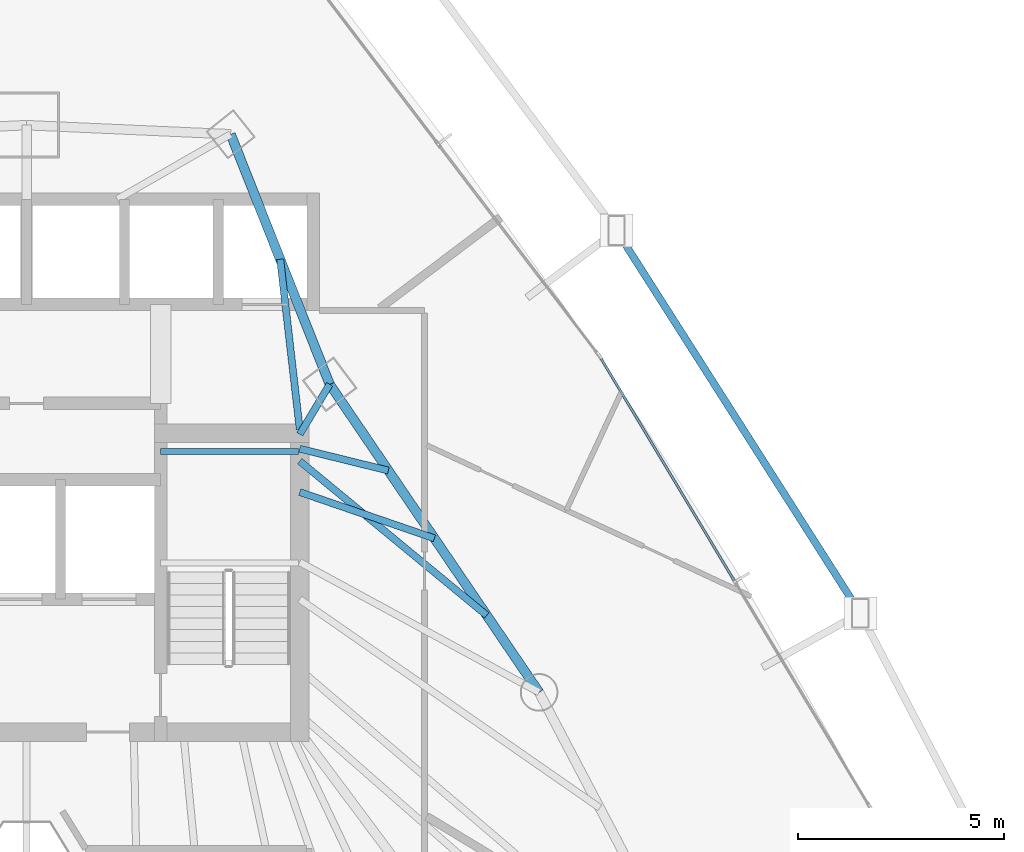
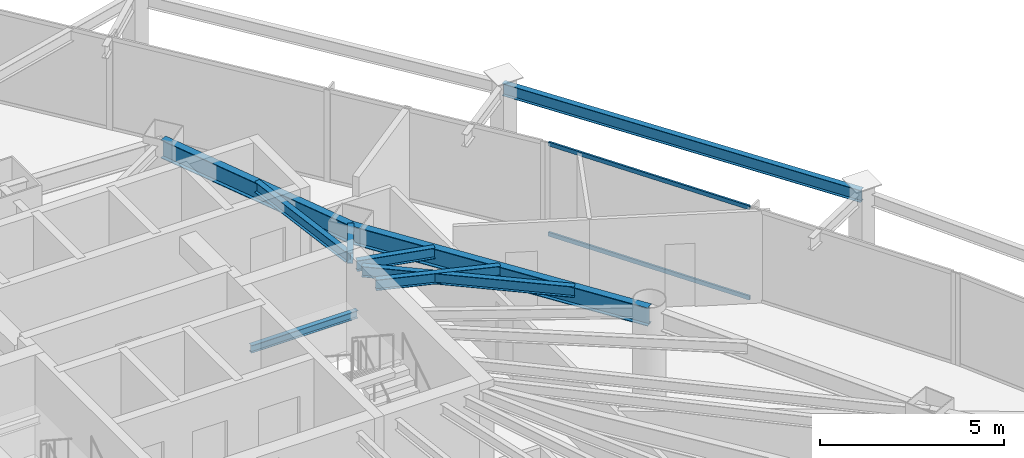
# One storey, part 28 of 38: 9 beams, 2 members, 1 element without a shape of its own.
"""IFC4 building model written with IfcOpenShell, lengths in metres."""

from ifc_helpers import new_model, si_unit, direction, frame, origin, origin_2d, place, context, subcontext, project, spatial, hollow_rectangle, i_section, extrude, material, layer, layer_set, material_profile, profile_set, type_object, element, aggregate, save


model = new_model("IFC4")

# Units and contexts
model_context = context("Model", 3, precision=1e-05, world=origin(), true_north=direction((0.0, 1.0)))
body_context = subcontext(model_context, "Body", "Model", "MODEL_VIEW")
ifc_project = project(units=[si_unit("LENGTHUNIT", "METRE"), si_unit("AREAUNIT", "SQUARE_METRE"), si_unit("VOLUMEUNIT", "CUBIC_METRE"), si_unit("PLANEANGLEUNIT", "RADIAN"), si_unit("MASSUNIT", "GRAM", prefix="KILO")], contexts=[model_context])

# Site, building, storey
site_placement = place(None, origin())
site = spatial("IfcSite", under=ifc_project, at=site_placement, CompositionType="ELEMENT")
building_placement = place(site_placement, origin())
building = spatial("IfcBuilding", under=site, at=building_placement, Name="Orvanel Arch Residences", CompositionType="ELEMENT")
storey_placement = place(building_placement, frame((0.0, 0.0, 50.0)))
storey = spatial("IfcBuildingStorey", under=building, at=storey_placement, Name="L13", CompositionType="ELEMENT", Elevation=50.0)

# Beams
ifc_material_1 = material(Name="Structural steel AS/NZS 3679.1 Grade 300 (300 MPa)", Category="steel")
ifc_material_profile_1 = material_profile(ifc_material_1, i_section(OverallWidth=0.14599609375, OverallDepth=0.251953125, WebThickness=0.006103515625, FlangeThickness=0.008544921875, at=origin_2d()), Name="250UB31.4")
ifc_profile_set_1 = profile_set([ifc_material_profile_1], Name="Structural steel AS/NZS 3679.1 Grade 300 (300 MPa)")
beam_type_1 = type_object("IfcBeamType", Name="BJ-250UB", PredefinedType="JOIST", material=ifc_profile_set_1)
beam_1_placement = place(storey_placement, frame((36.25, 33.47998046875, 1.323974609375), z_axis=(1.0, 0.0, 0.0), x_axis=(0.0, 1.0, 0.0)))
element("IfcBeam", 1, at=beam_1_placement, inside=storey, type_object=beam_type_1, Name="L13 ST-2 Half-Landing Support Beam 1.2", PredefinedType="JOIST", context=body_context, shape_type="SweptSolid", body=[
    extrude(i_section(OverallWidth=0.14599609375, OverallDepth=0.251953125, WebThickness=0.006103515625, FlangeThickness=0.008544921875, at=origin_2d()), origin(), (0.0, 0.0, 1.0), 3.35009765625),
])
ifc_material_profile_2 = material_profile(ifc_material_1, i_section(OverallWidth=0.1708984375, OverallDepth=0.35595703125, WebThickness=0.00732421875, FlangeThickness=0.011474609375, at=origin_2d()), Name="360UB50.7")
ifc_profile_set_2 = profile_set([ifc_material_profile_2], Name="Structural steel AS/NZS 3679.1 Grade 300 (300 MPa)")
beam_type_2 = type_object("IfcBeamType", Name="BJ-360UB", PredefinedType="JOIST", material=ifc_profile_set_2)
beam_2_placement = place(storey_placement, frame((39.625, 33.89990234375, 2.882080078125), z_axis=(0.514064138778, 0.857751748015, 0.0), x_axis=(-0.857751748015, 0.514064138778, 0.0)))
element("IfcBeam", 2, at=beam_2_placement, inside=storey, type_object=beam_type_2, Name="L13 NNE Wing Floor Joist", PredefinedType="JOIST", context=body_context, shape_type="SweptSolid", body=[
    extrude(i_section(OverallWidth=0.1708984375, OverallDepth=0.35595703125, WebThickness=0.00732421875, FlangeThickness=0.011474609375, at=origin_2d()), origin(), (0.0, 0.0, 1.0), 1.414306640625),
])
beam_3_placement = place(storey_placement, frame((39.625, 34.02001953125, 2.882080078125), z_axis=(-0.114186670431, 0.993459311847, 0.0), x_axis=(-0.993459311847, -0.114186670431, 0.0)))
element("IfcBeam", 3, at=beam_3_placement, inside=storey, type_object=beam_type_2, Name="L13 NNE2 Wing Floor Joist", PredefinedType="JOIST", context=body_context, shape_type="SweptSolid", body=[
    extrude(i_section(OverallWidth=0.1708984375, OverallDepth=0.35595703125, WebThickness=0.00732421875, FlangeThickness=0.011474609375, at=origin_2d()), origin(), (0.0, 0.0, 1.0), 4.152099609375),
])
beam_4_placement = place(storey_placement, frame((39.625, 32.5, 2.882080078125), z_axis=(0.945658073701, -0.325162740247, 0.0), x_axis=(0.325162740247, 0.945658073701, 0.0)))
element("IfcBeam", 4, at=beam_4_placement, inside=storey, type_object=beam_type_2, Name="L13 ENE Wing Floor Joist", PredefinedType="JOIST", context=body_context, shape_type="SweptSolid", body=[
    extrude(i_section(OverallWidth=0.1708984375, OverallDepth=0.35595703125, WebThickness=0.00732421875, FlangeThickness=0.011474609375, at=origin_2d()), origin(), (0.0, 0.0, 1.0), 3.453857421875),
])
beam_5_placement = place(storey_placement, frame((39.625, 33.25, 2.882080078125), z_axis=(0.771468562814, -0.636267441089, 0.0), x_axis=(0.636267441089, 0.771468562814, 0.0)))
element("IfcBeam", 5, at=beam_5_placement, inside=storey, type_object=beam_type_2, Name="L13 LE Wing Floor Joist", PredefinedType="JOIST", context=body_context, shape_type="SweptSolid", body=[
    extrude(i_section(OverallWidth=0.1708984375, OverallDepth=0.35595703125, WebThickness=0.00732421875, FlangeThickness=0.011474609375, at=origin_2d()), origin(), (0.0, 0.0, 1.0), 5.879638671875),
])
beam_6_placement = place(storey_placement, frame((39.625, 33.550048828125, 2.882080078125), z_axis=(0.971005818547, -0.239055851942, 0.0), x_axis=(0.239055851942, 0.971005818547, 0.0)))
element("IfcBeam", 6, at=beam_6_placement, inside=storey, type_object=beam_type_2, Name="L13 JADD4 Wing Floor Joist", PredefinedType="JOIST", context=body_context, shape_type="SweptSolid", body=[
    extrude(i_section(OverallWidth=0.1708984375, OverallDepth=0.35595703125, WebThickness=0.00732421875, FlangeThickness=0.011474609375, at=origin_2d()), origin(), (0.0, 0.0, 1.0), 2.213134765625),
])
ifc_material_profile_3 = material_profile(ifc_material_1, i_section(OverallWidth=0.177978515625, OverallDepth=0.406005859375, WebThickness=0.0078125, FlangeThickness=0.0126953125, at=origin_2d()), Name="410UB59.7")
ifc_profile_set_3 = profile_set([ifc_material_profile_3], Name="Structural steel AS/NZS 3679.1 Grade 300 (300 MPa)")
beam_type_3 = type_object("IfcBeamType", Name="OB-410UB-EXT", PredefinedType="SPANDREL", material=ifc_profile_set_3)
beam_7_placement = place(storey_placement, frame((53.221923828125, 29.55908203125, 2.85693359375), z_axis=(-0.537254316305, 0.843420298316, 0.0), x_axis=(-0.843420298316, -0.537254316305, 0.0)))
element("IfcBeam", 7, at=beam_7_placement, inside=storey, type_object=beam_type_3, Name="L13 Outer Perimeter Floor Ring Beam 10", PredefinedType="SPANDREL", context=body_context, shape_type="SweptSolid", body=[
    extrude(i_section(OverallWidth=0.177978515625, OverallDepth=0.406005859375, WebThickness=0.0078125, FlangeThickness=0.0126953125, at=origin_2d()), origin(), (0.0, 0.0, 1.0), 11.007568359375),
])
ifc_material_profile_4 = material_profile(ifc_material_1, i_section(OverallWidth=0.22900390625, OverallDepth=0.612060546875, WebThickness=0.011962890625, FlangeThickness=0.01953125, at=origin_2d()), Name="610UB125")
ifc_profile_set_4 = profile_set([ifc_material_profile_4], Name="Structural steel AS/NZS 3679.1 Grade 300 (300 MPa)")
beam_type_4 = type_object("IfcBeamType", Name="SP-610UB", PredefinedType="SPANDREL", material=ifc_profile_set_4)
beam_8_placement = place(storey_placement, frame((45.430908203125, 27.64111328125, 2.75390625), z_axis=(-0.562154793153, 0.827032035978, 0.0), x_axis=(-0.827032035978, -0.562154793153, 0.0)))
element("IfcBeam", 8, at=beam_8_placement, inside=storey, type_object=beam_type_4, Name="L13 Perimeter Spandrel Beam 14", PredefinedType="SPANDREL", context=body_context, shape_type="SweptSolid", body=[
    extrude(i_section(OverallWidth=0.22900390625, OverallDepth=0.612060546875, WebThickness=0.011962890625, FlangeThickness=0.01953125, at=origin_2d()), origin(), (0.0, 0.0, 1.0), 9.03466796875),
])
beam_9_placement = place(storey_placement, frame((40.35205078125, 35.113037109375, 2.75390625), z_axis=(-0.368233143579, 0.929733484376, 0.0), x_axis=(-0.929733484376, -0.368233143579, 0.0)))
element("IfcBeam", 9, at=beam_9_placement, inside=storey, type_object=beam_type_4, Name="L13 Perimeter Spandrel Beam 15", PredefinedType="SPANDREL", context=body_context, shape_type="SweptSolid", body=[
    extrude(i_section(OverallWidth=0.22900390625, OverallDepth=0.612060546875, WebThickness=0.011962890625, FlangeThickness=0.01953125, at=origin_2d()), origin(), (0.0, 0.0, 1.0), 6.523193359375),
])

# Curtain wall, members
ifc_material_2 = material(Name="Bronze-anodised aluminium AA6063-T6", Category="aluminium")
ifc_layer = layer(ifc_material_2, 0.179931640625)
ifc_layer_set = layer_set([ifc_layer], Name="Bronze-anodised aluminium AA6063-T6")
curtain_wall_type = type_object("IfcCurtainWallType", Name="CW2-LOW-SYS", PredefinedType="NOTDEFINED", material=ifc_layer_set)
curtain_wall_placement = place(storey_placement, origin())
curtain_wall = element("IfcCurtainWall", 10, at=curtain_wall_placement, inside=storey, type_object=curtain_wall_type, Name="L13 CW2-LOW-SYS Unitised Curtain Wall", PredefinedType="NOTDEFINED")
ifc_material_profile_5 = material_profile(ifc_material_2, hollow_rectangle(XDim=0.06005859375, YDim=0.135009765625, WallThickness=0.00390625, at=origin_2d()), Name="ALU135x60x4")
ifc_profile_set_5 = profile_set([ifc_material_profile_5], Name="Bronze-anodised aluminium AA6063-T6")
member_type = type_object("IfcMemberType", Name="TRN-135x60", PredefinedType="USERDEFINED", material=ifc_profile_set_5)
member_1_placement = place(storey_placement, frame((50.159912109375, 30.3564453125, 0.030029296875), z_axis=(-0.514352631458, 0.857578783851, 0.0), x_axis=(-0.857578783851, -0.514352631458, 0.0)))
member_1 = element("IfcMember", 11, at=member_1_placement, type_object=member_type, Name="CW-S2 transom 2.1", ObjectType="TRANSOM", PredefinedType="USERDEFINED", context=body_context, shape_type="SweptSolid", body=[
    extrude(hollow_rectangle(XDim=0.06005859375, YDim=0.135009765625, WallThickness=0.00390625, at=origin_2d()), origin(), (0.0, 0.0, 1.0), 6.271728515625),
])
member_2_placement = place(storey_placement, frame((50.159912109375, 30.3564453125, 3.030029296875), z_axis=(-0.514352631458, 0.857578783851, 0.0), x_axis=(-0.857578783851, -0.514352631458, 0.0)))
member_2 = element("IfcMember", 12, at=member_2_placement, type_object=member_type, Name="CW-S2 transom 2.2", ObjectType="TRANSOM", PredefinedType="USERDEFINED", context=body_context, shape_type="SweptSolid", body=[
    extrude(hollow_rectangle(XDim=0.06005859375, YDim=0.135009765625, WallThickness=0.00390625, at=origin_2d()), origin(), (0.0, 0.0, 1.0), 6.271728515625),
])
aggregate(curtain_wall, [member_1, member_2])

save(model, "model.ifc")
